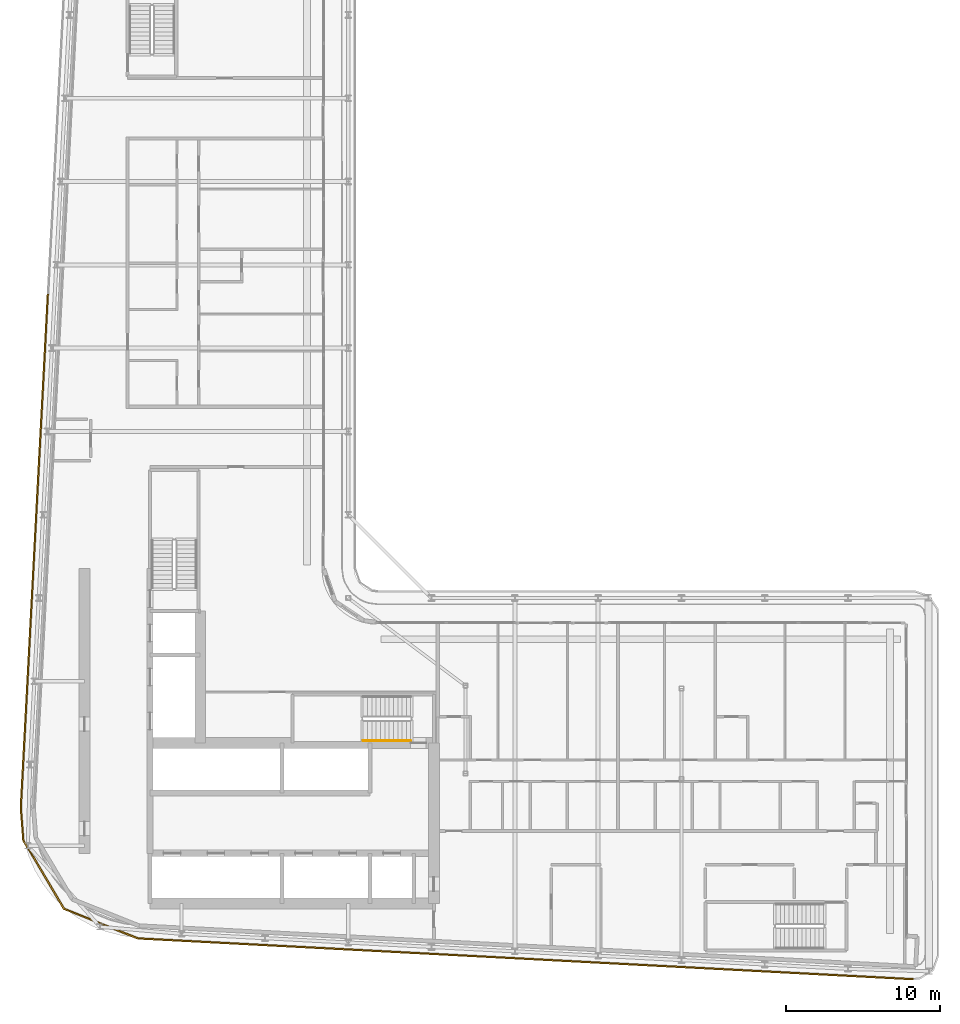
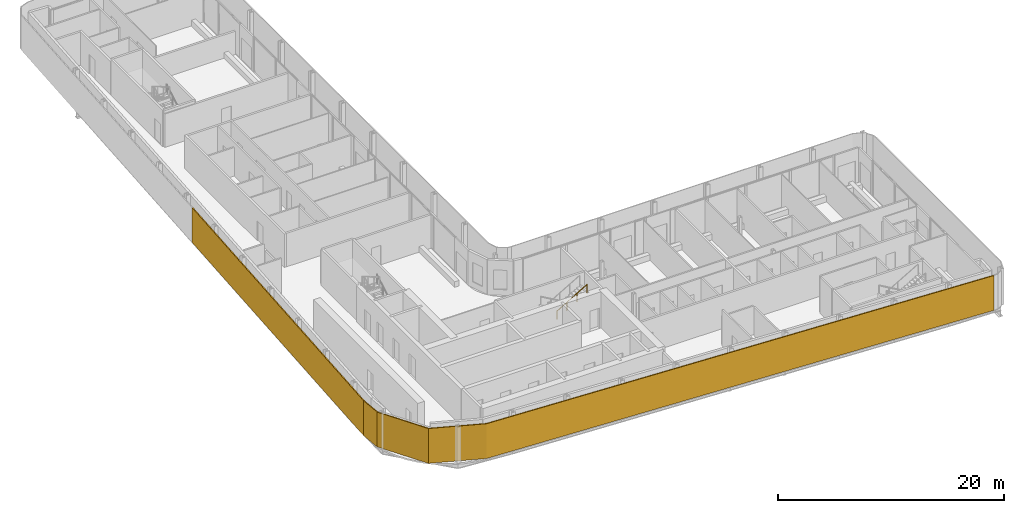
# One storey, part 17 of 23: 2 shading devices, 1 railing.
"""IFC4 building model written with IfcOpenShell, lengths in metres."""

from ifc_helpers import new_model, si_unit, direction, frame, origin, origin_2d, place, context, subcontext, project, spatial, polyline, rectangle, circle, outline, extrude, material, layer, layer_set, type_object, element, save


model = new_model("IFC4")

# Units and contexts
model_context = context("Model", 3, precision=1e-05, world=origin(), true_north=direction((0.0, 1.0)))
body_context = subcontext(model_context, "Body", "Model", "MODEL_VIEW")
ifc_project = project(units=[si_unit("LENGTHUNIT", "METRE"), si_unit("AREAUNIT", "SQUARE_METRE"), si_unit("VOLUMEUNIT", "CUBIC_METRE"), si_unit("PLANEANGLEUNIT", "RADIAN"), si_unit("MASSUNIT", "GRAM", prefix="KILO")], contexts=[model_context])

# Site, building, storey
site_placement = place(None, origin())
site = spatial("IfcSite", under=ifc_project, at=site_placement, CompositionType="ELEMENT")
building_placement = place(site_placement, origin())
building = spatial("IfcBuilding", under=site, at=building_placement, Name="Kheshtan School and Residences Tower", CompositionType="ELEMENT")
storey_placement = place(building_placement, frame((0.0, 0.0, 259.10009765625)))
storey = spatial("IfcBuildingStorey", under=building, at=storey_placement, Name="L61", CompositionType="ELEMENT", Elevation=259.10009765625)

# Shading devices
ifc_material_1 = material(Name="Terracotta baguette, extruded ceramic", Category="masonry")
ifc_layer = layer(ifc_material_1, 0.10009765625)
ifc_layer_set = layer_set([ifc_layer], Name="Ledge screen, terracotta baguettes")
shading_device_type = type_object("IfcShadingDeviceType", Name="Ledge screen, terracotta baguettes", PredefinedType="USERDEFINED", material=ifc_layer_set)
shading_device_1_placement = place(storey_placement, origin())
element("IfcShadingDevice", 1, at=shading_device_1_placement, inside=storey, type_object=shading_device_type, Name="Screen L61 3", ObjectType="BAGUETTE", PredefinedType="USERDEFINED", context=body_context, shape_type="SweptSolid", body=[
    extrude(outline(polyline([(84.220947265625, 20.93603515625), (33.989013671875, 23.580078125), (29.2119140625, 25.486083984375), (26.583984375, 29.906982421875), (26.419921875, 31.989013671875), (26.320068359375, 31.98095703125), (26.486083984375, 29.8759765625), (29.14306640625, 25.406005859375), (33.967041015625, 23.48095703125), (84.216064453125, 20.8359375), (84.220947265625, 20.93603515625)])), origin(), (0.0, 0.0, 1.0), 3.75),
])
shading_device_2_placement = place(storey_placement, frame((27.24609375, 48.638916015625, 0.0), z_axis=(0.0, 0.0, 1.0), x_axis=(0.052562536748, 0.998617634398, 0.0)))
element("IfcShadingDevice", 2, at=shading_device_2_placement, inside=storey, type_object=shading_device_type, Name="Screen L61 4", ObjectType="BAGUETTE", PredefinedType="USERDEFINED", context=body_context, shape_type="SweptSolid", body=[
    extrude(rectangle(XDim=33.341064453125, YDim=0.10009765625, at=origin_2d()), origin(), (0.0, 0.0, 1.0), 3.75),
])

# Railing
ifc_material_2 = material(Name="Stainless steel handrail", Category="steel")
railing_type = type_object("IfcRailingType", Name="Stair handrail 900", PredefinedType="HANDRAIL", material=ifc_material_2)
railing_placement = place(storey_placement, frame((48.570068359375, 36.35009765625, 2.1123046875)))
element("IfcRailing", 3, at=railing_placement, inside=storey, type_object=railing_type, Name="L61 ST1 stair handrail 2", PredefinedType="HANDRAIL", context=body_context, shape_type="SweptSolid", body=[
    extrude(circle(Radius=0.02392578125, at=origin_2d()), frame((0.0, 0.0, 0.8759765625), z_axis=(0.864873446163, 0.0, 0.501989962173), x_axis=(0.0, 1.0, 0.0)), (0.0, 0.0, 1.0), 3.56103515625),
    extrude(circle(Radius=0.02099609375, at=origin_2d()), origin(), (0.0, 0.0, 1.0), 0.851806640625),
    extrude(circle(Radius=0.02099609375, at=origin_2d()), frame((1.026611328125, 0.0, 0.595947265625)), (0.0, 0.0, 1.0), 0.851806640625),
    extrude(circle(Radius=0.02099609375, at=origin_2d()), frame((2.05322265625, 0.0, 1.191650390625)), (0.0, 0.0, 1.0), 0.851806640625),
    extrude(circle(Radius=0.02099609375, at=origin_2d()), frame((3.079833984375, 0.0, 1.78759765625)), (0.0, 0.0, 1.0), 0.851806640625),
])

save(model, "model.ifc")
